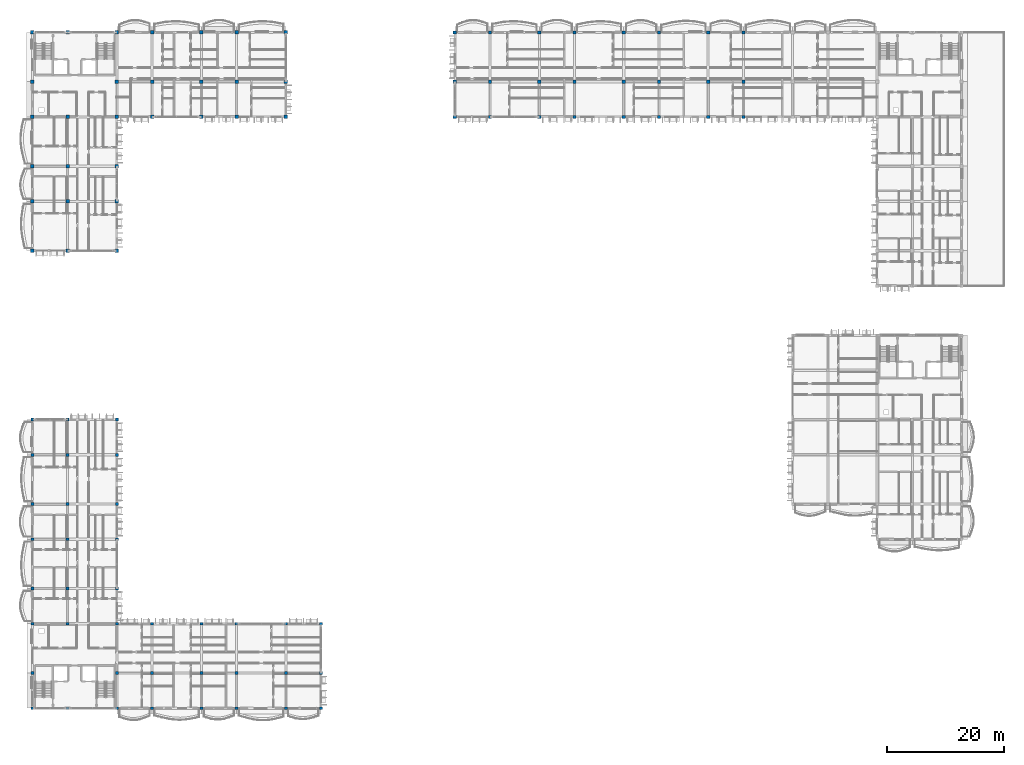
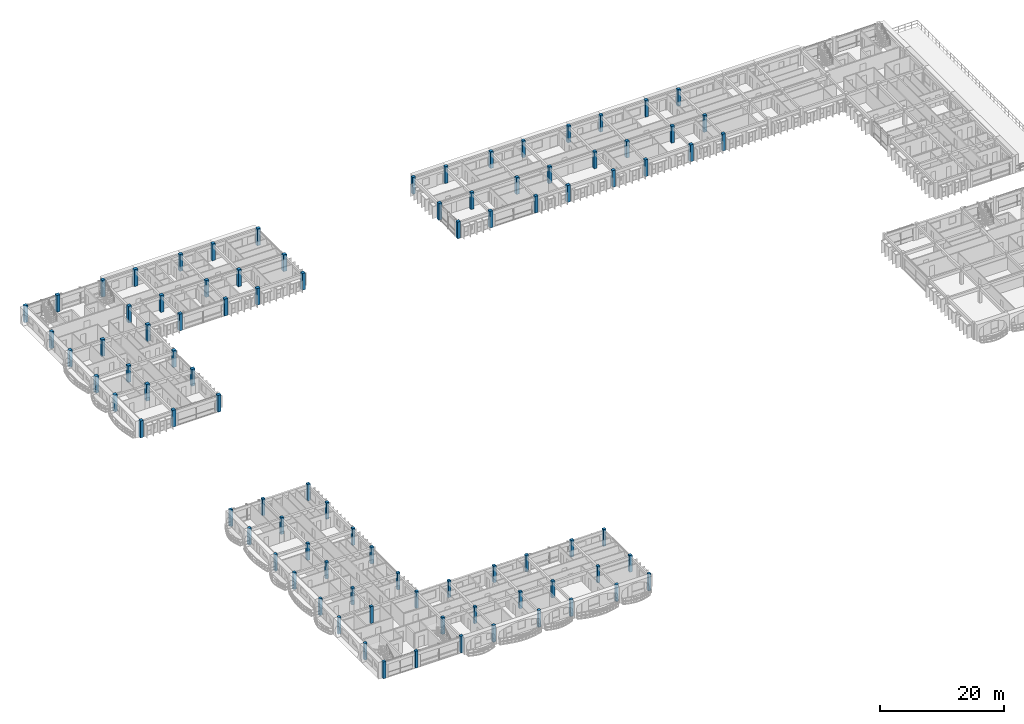
# One storey, part 1 of 68: 91 columns.
"""IFC4 building model written with IfcOpenShell, lengths in metres."""

from ifc_helpers import new_model, si_unit, direction, frame, origin, origin_2d, place, context, subcontext, project, spatial, rectangle, extrude, material, material_profile, profile_set, type_object, element, save


model = new_model("IFC4")

# Units and contexts
model_context = context("Model", 3, precision=1e-05, world=origin(), true_north=direction((0.0, 1.0)))
body_context = subcontext(model_context, "Body", "Model", "MODEL_VIEW")
ifc_project = project(units=[si_unit("LENGTHUNIT", "METRE"), si_unit("AREAUNIT", "SQUARE_METRE"), si_unit("VOLUMEUNIT", "CUBIC_METRE"), si_unit("PLANEANGLEUNIT", "RADIAN"), si_unit("MASSUNIT", "GRAM", prefix="KILO"), si_unit("THERMODYNAMICTEMPERATUREUNIT", "KELVIN")], contexts=[model_context])

# Site, building, storey
site_placement = place(None, origin())
site = spatial("IfcSite", under=ifc_project, at=site_placement, CompositionType="ELEMENT")
building_placement = place(site_placement, origin())
building = spatial("IfcBuilding", under=site, at=building_placement, Name="Thalorik Housing Commons", CompositionType="ELEMENT")
storey_placement = place(building_placement, frame((0.0, 0.0, 24.60009765625)))
storey = spatial("IfcBuildingStorey", under=building, at=storey_placement, Name="L07", CompositionType="ELEMENT", Elevation=24.60009765625)

# Columns
ifc_material = material(Name="Precast concrete C40/50", Category="concrete")
ifc_material_profile_1 = material_profile(ifc_material, rectangle(XDim=0.5, YDim=0.5, at=origin_2d()), Name="PC 500x500", Category="concrete")
ifc_profile_set_1 = profile_set([ifc_material_profile_1], Name="Precast concrete C40/50")
column_type_1 = type_object("IfcColumnType", Name="STR-COL-PC500", PredefinedType="COLUMN", material=ifc_profile_set_1)
for number, where, z_axis, x_axis, name in (
    (1, (8.39990234375, 8.39990234375, 0.0), (0.0, 0.0, 1.0), (1.0, 0.0, 0.0), "L07 Column C-500"),
    (2, (8.39990234375, 14.39990234375, 0.0), (0.0, 0.0, 1.0), (1.0, 0.0, 0.0), "L07 Column C-500"),
    (3, (8.39990234375, 22.800048828125, 0.0), (0.0, 0.0, 1.0), (1.0, 0.0, 0.0), "L07 Column C-500"),
    (4, (8.39990234375, 28.800048828125, 0.0), (0.0, 0.0, 1.0), (1.0, 0.0, 0.0), "L07 Column C-500"),
    (5, (8.39990234375, 37.199951171875, 0.0), (0.0, 0.0, 1.0), (1.0, 0.0, 0.0), "L07 Column C-500"),
    (6, (8.39990234375, 43.199951171875, 0.0), (0.0, 0.0, 1.0), (1.0, 0.0, 0.0), "L07 Column C-500"),
    (7, (8.39990234375, 51.60009765625, 0.0), (0.0, 0.0, 1.0), (1.0, 0.0, 0.0), "L07 Column C-500"),
    (8, (8.39990234375, 57.60009765625, 0.0), (0.0, 0.0, 1.0), (1.0, 0.0, 0.0), "L07 Column C-500"),
    (9, (14.39990234375, 8.39990234375, 0.0), (0.0, 0.0, 1.0), (1.0, 0.0, 0.0), "L07 Column C-500"),
    (10, (14.39990234375, 22.800048828125, 0.0), (0.0, 0.0, 1.0), (1.0, 0.0, 0.0), "L07 Column C-500"),
    (11, (14.39990234375, 28.800048828125, 0.0), (0.0, 0.0, 1.0), (1.0, 0.0, 0.0), "L07 Column C-500"),
    (12, (14.39990234375, 37.199951171875, 0.0), (0.0, 0.0, 1.0), (1.0, 0.0, 0.0), "L07 Column C-500"),
    (13, (14.39990234375, 43.199951171875, 0.0), (0.0, 0.0, 1.0), (1.0, 0.0, 0.0), "L07 Column C-500"),
    (14, (14.39990234375, 51.60009765625, 0.0), (0.0, 0.0, 1.0), (1.0, 0.0, 0.0), "L07 Column C-500"),
    (15, (14.39990234375, 57.60009765625, 0.0), (0.0, 0.0, 1.0), (1.0, 0.0, 0.0), "L07 Column C-500"),
    (16, (22.800048828125, 8.39990234375, 0.0), (0.0, 0.0, 1.0), (1.0, 0.0, 0.0), "L07 Column C-500"),
    (17, (22.800048828125, 14.39990234375, 0.0), (0.0, 0.0, 1.0), (1.0, 0.0, 0.0), "L07 Column C-500"),
    (18, (22.800048828125, 22.800048828125, 0.0), (0.0, 0.0, 1.0), (1.0, 0.0, 0.0), "L07 Column C-500"),
    (19, (22.800048828125, 28.800048828125, 0.0), (0.0, 0.0, 1.0), (1.0, 0.0, 0.0), "L07 Column C-500"),
    (20, (22.800048828125, 37.199951171875, 0.0), (0.0, 0.0, 1.0), (1.0, 0.0, 0.0), "L07 Column C-500"),
    (21, (22.800048828125, 43.199951171875, 0.0), (0.0, 0.0, 1.0), (1.0, 0.0, 0.0), "L07 Column C-500"),
    (22, (22.800048828125, 51.60009765625, 0.0), (0.0, 0.0, 1.0), (1.0, 0.0, 0.0), "L07 Column C-500"),
    (23, (22.800048828125, 57.60009765625, 0.0), (0.0, 0.0, 1.0), (1.0, 0.0, 0.0), "L07 Column C-500"),
    (24, (28.800048828125, 8.39990234375, 0.0), (0.0, 0.0, 1.0), (1.0, 0.0, 0.0), "L07 Column C-500"),
    (25, (28.800048828125, 14.39990234375, 0.0), (0.0, 0.0, 1.0), (1.0, 0.0, 0.0), "L07 Column C-500"),
    (26, (28.800048828125, 22.800048828125, 0.0), (0.0, 0.0, 1.0), (1.0, 0.0, 0.0), "L07 Column C-500"),
    (27, (37.199951171875, 8.39990234375, 0.0), (0.0, 0.0, 1.0), (1.0, 0.0, 0.0), "L07 Column C-500"),
    (28, (37.199951171875, 14.39990234375, 0.0), (0.0, 0.0, 1.0), (1.0, 0.0, 0.0), "L07 Column C-500"),
    (29, (37.199951171875, 22.800048828125, 0.0), (0.0, 0.0, 1.0), (1.0, 0.0, 0.0), "L07 Column C-500"),
    (30, (43.199951171875, 8.39990234375, 0.0), (0.0, 0.0, 1.0), (1.0, 0.0, 0.0), "L07 Column C-500"),
    (31, (43.199951171875, 14.39990234375, 0.0), (0.0, 0.0, 1.0), (1.0, 0.0, 0.0), "L07 Column C-500"),
    (32, (43.199951171875, 22.800048828125, 0.0), (0.0, 0.0, 1.0), (1.0, 0.0, 0.0), "L07 Column C-500"),
    (33, (51.60009765625, 8.39990234375, 0.0), (0.0, 0.0, 1.0), (1.0, 0.0, 0.0), "L07 Column C-500"),
    (34, (51.60009765625, 14.39990234375, 0.0), (0.0, 0.0, 1.0), (1.0, 0.0, 0.0), "L07 Column C-500"),
    (35, (51.60009765625, 22.800048828125, 0.0), (0.0, 0.0, 1.0), (1.0, 0.0, 0.0), "L07 Column C-500"),
    (36, (57.60009765625, 8.39990234375, 0.0), (0.0, 0.0, 1.0), (1.0, 0.0, 0.0), "L07 Column C-500"),
    (37, (57.60009765625, 14.39990234375, 0.0), (0.0, 0.0, 1.0), (1.0, 0.0, 0.0), "L07 Column C-500"),
    (38, (57.60009765625, 22.800048828125, 0.0), (0.0, 0.0, 1.0), (1.0, 0.0, 0.0), "L07 Column C-500"),
):
    element("IfcColumn", number, at=place(storey_placement, frame(where, z_axis=z_axis, x_axis=x_axis)), inside=storey, type_object=column_type_1, Name=name, PredefinedType="COLUMN", context=body_context, shape_type="SweptSolid", body=[
        extrude(rectangle(XDim=0.5, YDim=0.5, at=origin_2d()), origin(), (0.0, 0.0, 1.0), 3.2998046875),
    ])
ifc_material_profile_2 = material_profile(ifc_material, rectangle(XDim=0.550048828125, YDim=0.550048828125, at=origin_2d()), Name="PC 550x550", Category="concrete")
ifc_profile_set_2 = profile_set([ifc_material_profile_2], Name="Precast concrete C40/50")
column_type_2 = type_object("IfcColumnType", Name="STR-COL-PC550", PredefinedType="COLUMN", material=ifc_profile_set_2)
for number, where, z_axis, x_axis, name in (
    (39, (80.39990234375, 109.199951171875, 0.0), (0.0, 0.0, 1.0), (1.0, 0.0, 0.0), "L07 Column C-550"),
    (40, (80.39990234375, 115.199951171875, 0.0), (0.0, 0.0, 1.0), (1.0, 0.0, 0.0), "L07 Column C-550"),
    (41, (80.39990234375, 123.60009765625, 0.0), (0.0, 0.0, 1.0), (1.0, 0.0, 0.0), "L07 Column C-550"),
    (42, (86.39990234375, 109.199951171875, 0.0), (0.0, 0.0, 1.0), (1.0, 0.0, 0.0), "L07 Column C-550"),
    (43, (86.39990234375, 115.199951171875, 0.0), (0.0, 0.0, 1.0), (1.0, 0.0, 0.0), "L07 Column C-550"),
    (44, (86.39990234375, 123.60009765625, 0.0), (0.0, 0.0, 1.0), (1.0, 0.0, 0.0), "L07 Column C-550"),
    (45, (94.800048828125, 109.199951171875, 0.0), (0.0, 0.0, 1.0), (1.0, 0.0, 0.0), "L07 Column C-550"),
    (46, (94.800048828125, 115.199951171875, 0.0), (0.0, 0.0, 1.0), (1.0, 0.0, 0.0), "L07 Column C-550"),
    (47, (94.800048828125, 123.60009765625, 0.0), (0.0, 0.0, 1.0), (1.0, 0.0, 0.0), "L07 Column C-550"),
    (48, (100.800048828125, 109.199951171875, 0.0), (0.0, 0.0, 1.0), (1.0, 0.0, 0.0), "L07 Column C-550"),
    (49, (100.800048828125, 115.199951171875, 0.0), (0.0, 0.0, 1.0), (1.0, 0.0, 0.0), "L07 Column C-550"),
    (50, (100.800048828125, 123.60009765625, 0.0), (0.0, 0.0, 1.0), (1.0, 0.0, 0.0), "L07 Column C-550"),
    (51, (109.199951171875, 109.199951171875, 0.0), (0.0, 0.0, 1.0), (1.0, 0.0, 0.0), "L07 Column C-550"),
    (52, (109.199951171875, 115.199951171875, 0.0), (0.0, 0.0, 1.0), (1.0, 0.0, 0.0), "L07 Column C-550"),
    (53, (109.199951171875, 123.60009765625, 0.0), (0.0, 0.0, 1.0), (1.0, 0.0, 0.0), "L07 Column C-550"),
    (54, (115.199951171875, 109.199951171875, 0.0), (0.0, 0.0, 1.0), (1.0, 0.0, 0.0), "L07 Column C-550"),
    (55, (115.199951171875, 115.199951171875, 0.0), (0.0, 0.0, 1.0), (1.0, 0.0, 0.0), "L07 Column C-550"),
    (56, (115.199951171875, 123.60009765625, 0.0), (0.0, 0.0, 1.0), (1.0, 0.0, 0.0), "L07 Column C-550"),
    (57, (123.60009765625, 109.199951171875, 0.0), (0.0, 0.0, 1.0), (1.0, 0.0, 0.0), "L07 Column C-550"),
    (58, (123.60009765625, 115.199951171875, 0.0), (0.0, 0.0, 1.0), (1.0, 0.0, 0.0), "L07 Column C-550"),
    (59, (123.60009765625, 123.60009765625, 0.0), (0.0, 0.0, 1.0), (1.0, 0.0, 0.0), "L07 Column C-550"),
    (60, (129.60009765625, 109.199951171875, 0.0), (0.0, 0.0, 1.0), (1.0, 0.0, 0.0), "L07 Column C-550"),
    (61, (129.60009765625, 115.199951171875, 0.0), (0.0, 0.0, 1.0), (1.0, 0.0, 0.0), "L07 Column C-550"),
    (62, (129.60009765625, 123.60009765625, 0.0), (0.0, 0.0, 1.0), (1.0, 0.0, 0.0), "L07 Column C-550"),
):
    element("IfcColumn", number, at=place(storey_placement, frame(where, z_axis=z_axis, x_axis=x_axis)), inside=storey, type_object=column_type_2, Name=name, PredefinedType="COLUMN", context=body_context, shape_type="SweptSolid", body=[
        extrude(rectangle(XDim=0.550048828125, YDim=0.550048828125, at=origin_2d()), origin(), (0.0, 0.0, 1.0), 3.2998046875),
    ])
ifc_material_profile_3 = material_profile(ifc_material, rectangle(XDim=0.60009765625, YDim=0.60009765625, at=origin_2d()), Name="PC 600x600", Category="concrete")
ifc_profile_set_3 = profile_set([ifc_material_profile_3], Name="Precast concrete C40/50")
column_type_3 = type_object("IfcColumnType", Name="STR-COL-PC600", PredefinedType="COLUMN", material=ifc_profile_set_3)
for number, where, z_axis, x_axis, name in (
    (63, (8.39990234375, 86.39990234375, 0.0), (0.0, 0.0, 1.0), (1.0, 0.0, 0.0), "L07 Column C-600"),
    (64, (8.39990234375, 94.800048828125, 0.0), (0.0, 0.0, 1.0), (1.0, 0.0, 0.0), "L07 Column C-600"),
    (65, (8.39990234375, 100.800048828125, 0.0), (0.0, 0.0, 1.0), (1.0, 0.0, 0.0), "L07 Column C-600"),
    (66, (8.39990234375, 109.199951171875, 0.0), (0.0, 0.0, 1.0), (1.0, 0.0, 0.0), "L07 Column C-600"),
    (67, (8.39990234375, 115.199951171875, 0.0), (0.0, 0.0, 1.0), (1.0, 0.0, 0.0), "L07 Column C-600"),
    (68, (8.39990234375, 123.60009765625, 0.0), (0.0, 0.0, 1.0), (1.0, 0.0, 0.0), "L07 Column C-600"),
    (69, (14.39990234375, 86.39990234375, 0.0), (0.0, 0.0, 1.0), (1.0, 0.0, 0.0), "L07 Column C-600"),
    (70, (14.39990234375, 94.800048828125, 0.0), (0.0, 0.0, 1.0), (1.0, 0.0, 0.0), "L07 Column C-600"),
    (71, (14.39990234375, 100.800048828125, 0.0), (0.0, 0.0, 1.0), (1.0, 0.0, 0.0), "L07 Column C-600"),
    (72, (14.39990234375, 109.199951171875, 0.0), (0.0, 0.0, 1.0), (1.0, 0.0, 0.0), "L07 Column C-600"),
    (73, (14.39990234375, 123.60009765625, 0.0), (0.0, 0.0, 1.0), (1.0, 0.0, 0.0), "L07 Column C-600"),
    (74, (22.800048828125, 86.39990234375, 0.0), (0.0, 0.0, 1.0), (1.0, 0.0, 0.0), "L07 Column C-600"),
    (75, (22.800048828125, 94.800048828125, 0.0), (0.0, 0.0, 1.0), (1.0, 0.0, 0.0), "L07 Column C-600"),
    (76, (22.800048828125, 100.800048828125, 0.0), (0.0, 0.0, 1.0), (1.0, 0.0, 0.0), "L07 Column C-600"),
    (77, (22.800048828125, 109.199951171875, 0.0), (0.0, 0.0, 1.0), (1.0, 0.0, 0.0), "L07 Column C-600"),
    (78, (22.800048828125, 115.199951171875, 0.0), (0.0, 0.0, 1.0), (1.0, 0.0, 0.0), "L07 Column C-600"),
    (79, (22.800048828125, 123.60009765625, 0.0), (0.0, 0.0, 1.0), (1.0, 0.0, 0.0), "L07 Column C-600"),
    (80, (28.800048828125, 109.199951171875, 0.0), (0.0, 0.0, 1.0), (1.0, 0.0, 0.0), "L07 Column C-600"),
    (81, (28.800048828125, 115.199951171875, 0.0), (0.0, 0.0, 1.0), (1.0, 0.0, 0.0), "L07 Column C-600"),
    (82, (28.800048828125, 123.60009765625, 0.0), (0.0, 0.0, 1.0), (1.0, 0.0, 0.0), "L07 Column C-600"),
    (83, (37.199951171875, 109.199951171875, 0.0), (0.0, 0.0, 1.0), (1.0, 0.0, 0.0), "L07 Column C-600"),
    (84, (37.199951171875, 115.199951171875, 0.0), (0.0, 0.0, 1.0), (1.0, 0.0, 0.0), "L07 Column C-600"),
    (85, (37.199951171875, 123.60009765625, 0.0), (0.0, 0.0, 1.0), (1.0, 0.0, 0.0), "L07 Column C-600"),
    (86, (43.199951171875, 109.199951171875, 0.0), (0.0, 0.0, 1.0), (1.0, 0.0, 0.0), "L07 Column C-600"),
    (87, (43.199951171875, 115.199951171875, 0.0), (0.0, 0.0, 1.0), (1.0, 0.0, 0.0), "L07 Column C-600"),
    (88, (43.199951171875, 123.60009765625, 0.0), (0.0, 0.0, 1.0), (1.0, 0.0, 0.0), "L07 Column C-600"),
    (89, (51.60009765625, 109.199951171875, 0.0), (0.0, 0.0, 1.0), (1.0, 0.0, 0.0), "L07 Column C-600"),
    (90, (51.60009765625, 115.199951171875, 0.0), (0.0, 0.0, 1.0), (1.0, 0.0, 0.0), "L07 Column C-600"),
    (91, (51.60009765625, 123.60009765625, 0.0), (0.0, 0.0, 1.0), (1.0, 0.0, 0.0), "L07 Column C-600"),
):
    element("IfcColumn", number, at=place(storey_placement, frame(where, z_axis=z_axis, x_axis=x_axis)), inside=storey, type_object=column_type_3, Name=name, PredefinedType="COLUMN", context=body_context, shape_type="SweptSolid", body=[
        extrude(rectangle(XDim=0.60009765625, YDim=0.60009765625, at=origin_2d()), origin(), (0.0, 0.0, 1.0), 3.2998046875),
    ])

save(model, "model.ifc")
